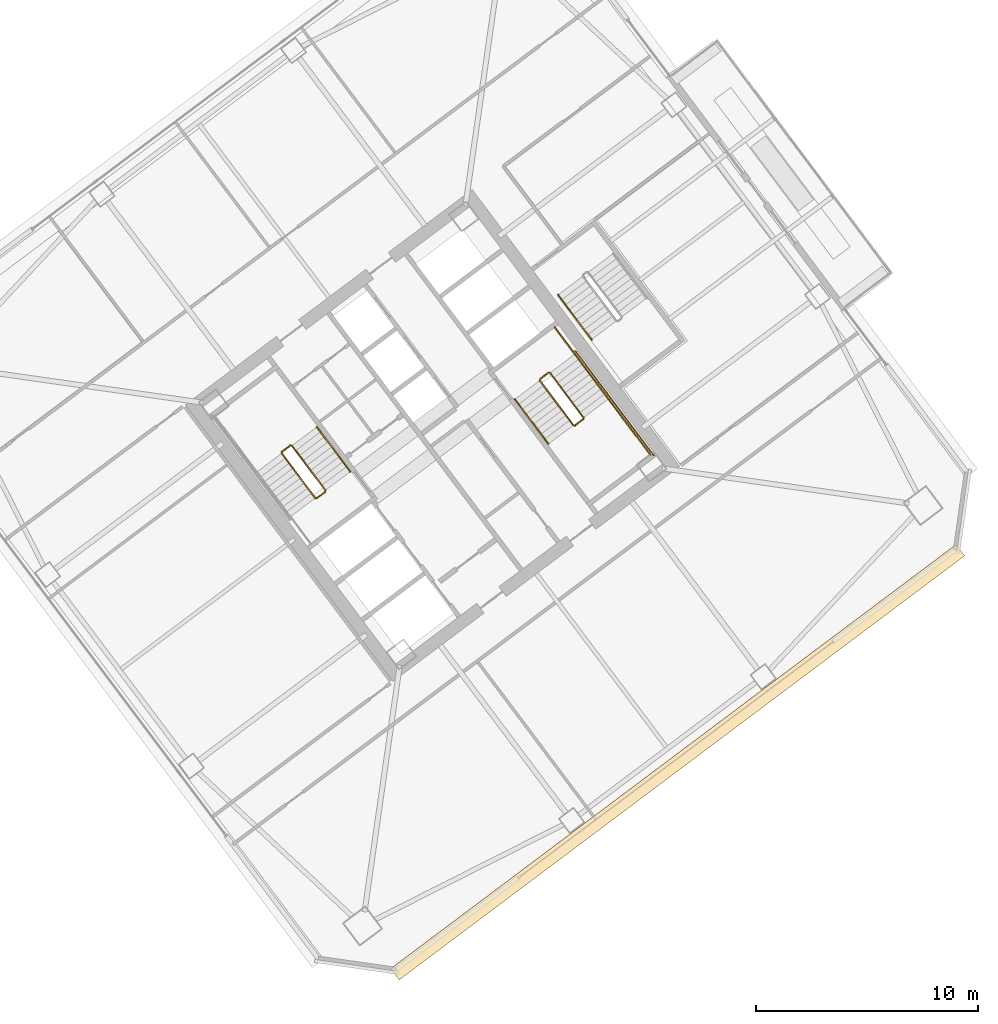
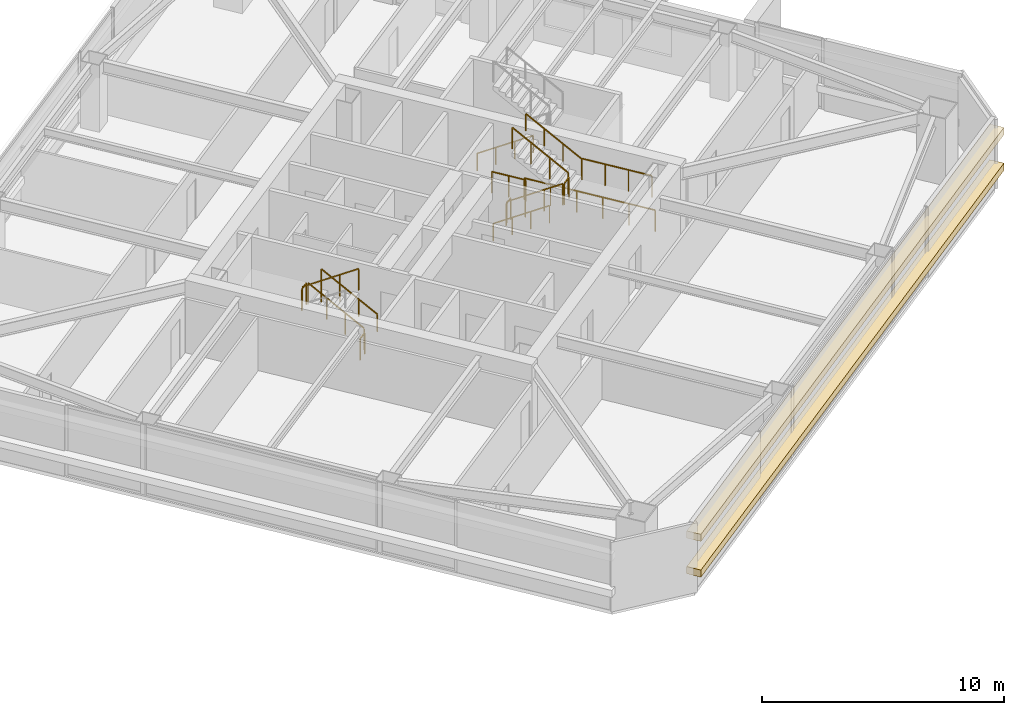
# One storey, part 38 of 41: 15 railings, 2 coverings.
"""IFC4 building model written with IfcOpenShell, lengths in metres."""

from ifc_helpers import new_model, si_unit, direction, frame, origin, origin_2d, place, context, subcontext, project, spatial, rectangle, extrude, material, layer, layer_set, type_object, element, save


model = new_model("IFC4")

# Units and contexts
model_context = context("Model", 3, precision=1e-05, world=origin(), true_north=direction((0.0, 1.0)))
body_context = subcontext(model_context, "Body", "Model", "MODEL_VIEW")
ifc_project = project(units=[si_unit("LENGTHUNIT", "METRE"), si_unit("AREAUNIT", "SQUARE_METRE"), si_unit("VOLUMEUNIT", "CUBIC_METRE"), si_unit("PLANEANGLEUNIT", "RADIAN"), si_unit("MASSUNIT", "GRAM", prefix="KILO")], contexts=[model_context])

# Site, building, storey
site_placement = place(None, origin())
site = spatial("IfcSite", under=ifc_project, at=site_placement, CompositionType="ELEMENT")
building_placement = place(site_placement, origin())
building = spatial("IfcBuilding", under=site, at=building_placement, Name="Tashvorn Skyway Center", CompositionType="ELEMENT")
storey_placement = place(building_placement, frame((0.0, 0.0, 146.35009765625)))
storey = spatial("IfcBuildingStorey", under=building, at=storey_placement, Name="L39", CompositionType="ELEMENT", Elevation=146.35009765625)

# Coverings
ifc_material_1 = material(Name="Perforated ceramic-coated bronze aluminium solar screen", Category="aluminium")
ifc_layer = layer(ifc_material_1, 0.85009765625)
ifc_layer_set = layer_set([ifc_layer], Name="Perforated ceramic-coated bronze aluminium solar screen")
covering_type = type_object("IfcCoveringType", Name="COV-SOLAR-BAND", PredefinedType="CLADDING", material=ifc_layer_set)
for number, where, z_axis, x_axis, name in (
    (1, (125.052001953125, 17.263916015625, 0.919921875), (0.0, 0.0, 1.0), (-0.799999996291, -0.600000004945, 0.0), "L39 Perforated Ceramic-Metal Solar Screen Louvre Band South 1"),
    (2, (125.052001953125, 17.263916015625, 2.7197265625), (0.0, 0.0, 1.0), (-0.799999996291, -0.600000004945, 0.0), "L39 Perforated Ceramic-Metal Solar Screen Louvre Band South 2"),
):
    element("IfcCovering", number, at=place(storey_placement, frame(where, z_axis=z_axis, x_axis=x_axis)), inside=storey, type_object=covering_type, Name=name, PredefinedType="CLADDING", context=body_context, shape_type="SweptSolid", body=[
        extrude(rectangle(XDim=31.8798828125, YDim=0.639892578125, at=origin_2d()), origin(), (0.0, 0.0, 1.0), 0.360107421875),
    ])

# Railings
ifc_material_2 = material(Name="Brushed stainless steel 316", Category="steel")
railing_type_1 = type_object("IfcRailingType", Name="RAIL-HAND-920", PredefinedType="HANDRAIL", material=ifc_material_2)
railing_1_placement = place(storey_placement, frame((110.2880859375, 30.365966796875, 0.177490234375)))
element("IfcRailing", 3, at=railing_1_placement, inside=storey, type_object=railing_type_1, Name="L39 ST-T2-1 stair handrail 1", PredefinedType="HANDRAIL", context=body_context, shape_type="SweptSolid", body=[
    extrude(rectangle(XDim=0.048095703125, YDim=0.048095703125, at=origin_2d()), frame((0.0, 0.0, 0.8759765625), z_axis=(-0.506801609611, 0.675680931896, 0.535357270211), x_axis=(-0.799976749893, -0.600030998891, 0.0)), (0.0, 0.0, 1.0), 2.98388671875),
    extrude(rectangle(XDim=0.0419921875, YDim=0.0419921875, at=origin_2d()), origin(), (0.0, 0.0, 1.0), 0.851806640625),
    extrude(rectangle(XDim=0.0419921875, YDim=0.0419921875, at=origin_2d()), frame((-0.504150390625, 0.672119140625, 0.532470703125)), (0.0, 0.0, 1.0), 0.851806640625),
    extrude(rectangle(XDim=0.0419921875, YDim=0.0419921875, at=origin_2d()), frame((-1.008056640625, 1.343994140625, 1.06494140625)), (0.0, 0.0, 1.0), 0.851806640625),
    extrude(rectangle(XDim=0.0419921875, YDim=0.0419921875, at=origin_2d()), frame((-1.51220703125, 2.01611328125, 1.597412109375)), (0.0, 0.0, 1.0), 0.851806640625),
])
railing_2_placement = place(storey_placement, frame((117.7119140625, 33.634033203125, 0.177490234375)))
element("IfcRailing", 4, at=railing_2_placement, inside=storey, type_object=railing_type_1, Name="L39 ST-T2-2 stair handrail 1", PredefinedType="HANDRAIL", context=body_context, shape_type="SweptSolid", body=[
    extrude(rectangle(XDim=0.048095703125, YDim=0.048095703125, at=origin_2d()), frame((0.0, 0.0, 0.8759765625), z_axis=(0.506801609611, -0.675680931896, 0.535357270211), x_axis=(0.799976749893, 0.600030998891, 0.0)), (0.0, 0.0, 1.0), 2.98388671875),
    extrude(rectangle(XDim=0.0419921875, YDim=0.0419921875, at=origin_2d()), origin(), (0.0, 0.0, 1.0), 0.851806640625),
    extrude(rectangle(XDim=0.0419921875, YDim=0.0419921875, at=origin_2d()), frame((0.504150390625, -0.672119140625, 0.532470703125)), (0.0, 0.0, 1.0), 0.851806640625),
    extrude(rectangle(XDim=0.0419921875, YDim=0.0419921875, at=origin_2d()), frame((1.008056640625, -1.343994140625, 1.06494140625)), (0.0, 0.0, 1.0), 0.851806640625),
    extrude(rectangle(XDim=0.0419921875, YDim=0.0419921875, at=origin_2d()), frame((1.51220703125, -2.01611328125, 1.597412109375)), (0.0, 0.0, 1.0), 0.851806640625),
])
railing_3_placement = place(storey_placement, frame((121.927978515625, 33.64599609375, 1.952392578125)))
element("IfcRailing", 5, at=railing_3_placement, inside=storey, type_object=railing_type_1, Name="L39 ST-T2-2 stair handrail 2", PredefinedType="HANDRAIL", context=body_context, shape_type="SweptSolid", body=[
    extrude(rectangle(XDim=0.048095703125, YDim=0.048095703125, at=origin_2d()), frame((0.0, 0.0, 0.8759765625), z_axis=(-0.506740800098, 0.675708949977, 0.535379469569), x_axis=(-0.800023250257, -0.599968998406, 0.0)), (0.0, 0.0, 1.0), 2.983642578125),
    extrude(rectangle(XDim=0.0419921875, YDim=0.0419921875, at=origin_2d()), origin(), (0.0, 0.0, 1.0), 0.851806640625),
    extrude(rectangle(XDim=0.0419921875, YDim=0.0419921875, at=origin_2d()), frame((-0.50390625, 0.672119140625, 0.532470703125)), (0.0, 0.0, 1.0), 0.851806640625),
    extrude(rectangle(XDim=0.0419921875, YDim=0.0419921875, at=origin_2d()), frame((-1.008056640625, 1.343994140625, 1.06494140625)), (0.0, 0.0, 1.0), 0.851806640625),
    extrude(rectangle(XDim=0.0419921875, YDim=0.0419921875, at=origin_2d()), frame((-1.511962890625, 2.01611328125, 1.597412109375)), (0.0, 0.0, 1.0), 0.851806640625),
])
railing_4_placement = place(storey_placement, frame((119.656005859375, 38.342041015625, 0.177490234375)))
element("IfcRailing", 6, at=railing_4_placement, inside=storey, type_object=railing_type_1, Name="L39 ST-T2-3 stair handrail 1", PredefinedType="HANDRAIL", context=body_context, shape_type="SweptSolid", body=[
    extrude(rectangle(XDim=0.048095703125, YDim=0.048095703125, at=origin_2d()), frame((0.0, 0.0, 0.8759765625), z_axis=(0.506740800098, -0.675708949977, 0.535379469569), x_axis=(0.800023250257, 0.599968998406, 0.0)), (0.0, 0.0, 1.0), 2.983642578125),
    extrude(rectangle(XDim=0.0419921875, YDim=0.0419921875, at=origin_2d()), origin(), (0.0, 0.0, 1.0), 0.851806640625),
    extrude(rectangle(XDim=0.0419921875, YDim=0.0419921875, at=origin_2d()), frame((0.50390625, -0.672119140625, 0.532470703125)), (0.0, 0.0, 1.0), 0.851806640625),
    extrude(rectangle(XDim=0.0419921875, YDim=0.0419921875, at=origin_2d()), frame((1.008056640625, -1.343994140625, 1.06494140625)), (0.0, 0.0, 1.0), 0.851806640625),
    extrude(rectangle(XDim=0.0419921875, YDim=0.0419921875, at=origin_2d()), frame((1.511962890625, -2.01611328125, 1.597412109375)), (0.0, 0.0, 1.0), 0.851806640625),
])
ifc_material_3 = material(Name="Painted galvanized steel S355", Category="steel")
railing_type_2 = type_object("IfcRailingType", Name="RAIL-STGUARD-1100", PredefinedType="GUARDRAIL", material=ifc_material_3)
railing_5_placement = place(storey_placement, frame((109.16796875, 29.52587890625, 0.177490234375)))
element("IfcRailing", 7, at=railing_5_placement, inside=storey, type_object=railing_type_2, Name="L39 ST-T2-1 stair guard 1", PredefinedType="GUARDRAIL", context=body_context, shape_type="SweptSolid", body=[
    extrude(rectangle(XDim=0.048095703125, YDim=0.048095703125, at=origin_2d()), frame((0.0, 0.0, 1.076171875), z_axis=(-0.506740800098, 0.675708949977, 0.535379469569), x_axis=(-0.800023250257, -0.599968998406, 0.0)), (0.0, 0.0, 1.0), 2.983642578125),
    extrude(rectangle(XDim=0.0419921875, YDim=0.0419921875, at=origin_2d()), origin(), (0.0, 0.0, 1.0), 1.052001953125),
    extrude(rectangle(XDim=0.0419921875, YDim=0.0419921875, at=origin_2d()), frame((-0.50390625, 0.672119140625, 0.532470703125)), (0.0, 0.0, 1.0), 1.052001953125),
    extrude(rectangle(XDim=0.0419921875, YDim=0.0419921875, at=origin_2d()), frame((-1.008056640625, 1.343994140625, 1.06494140625)), (0.0, 0.0, 1.0), 1.052001953125),
    extrude(rectangle(XDim=0.0419921875, YDim=0.0419921875, at=origin_2d()), frame((-1.511962890625, 2.01611328125, 1.597412109375)), (0.0, 0.0, 1.0), 1.052001953125),
])
railing_6_placement = place(storey_placement, frame((107.5859375, 31.552001953125, 1.77490234375)))
element("IfcRailing", 8, at=railing_6_placement, inside=storey, type_object=railing_type_2, Name="L39 ST-T2-1 stair guard 2", PredefinedType="GUARDRAIL", context=body_context, shape_type="SweptSolid", body=[
    extrude(rectangle(XDim=0.048095703125, YDim=0.048095703125, at=origin_2d()), frame((0.0, 0.0, 1.076171875), z_axis=(-0.799938970639, -0.600081363861, 0.0), x_axis=(0.600081363861, -0.799938970639, 0.0)), (0.0, 0.0, 1.0), 0.47998046875),
    extrude(rectangle(XDim=0.0419921875, YDim=0.0419921875, at=origin_2d()), origin(), (0.0, 0.0, 1.0), 1.052001953125),
    extrude(rectangle(XDim=0.0419921875, YDim=0.0419921875, at=origin_2d()), frame((-0.384033203125, -0.2880859375, 0.0)), (0.0, 0.0, 1.0), 1.052001953125),
])
railing_7_placement = place(storey_placement, frame((107.19189453125, 31.194091796875, 1.952392578125)))
element("IfcRailing", 9, at=railing_7_placement, inside=storey, type_object=railing_type_2, Name="L39 ST-T2-1 stair guard 4", PredefinedType="GUARDRAIL", context=body_context, shape_type="SweptSolid", body=[
    extrude(rectangle(XDim=0.048095703125, YDim=0.048095703125, at=origin_2d()), frame((0.0, 0.0, 1.076171875), z_axis=(0.506801609611, -0.675680931896, 0.535357270211), x_axis=(0.799976749893, 0.600030998891, 0.0)), (0.0, 0.0, 1.0), 2.98388671875),
    extrude(rectangle(XDim=0.0419921875, YDim=0.0419921875, at=origin_2d()), origin(), (0.0, 0.0, 1.0), 1.052001953125),
    extrude(rectangle(XDim=0.0419921875, YDim=0.0419921875, at=origin_2d()), frame((0.504150390625, -0.672119140625, 0.532470703125)), (0.0, 0.0, 1.0), 1.052001953125),
    extrude(rectangle(XDim=0.0419921875, YDim=0.0419921875, at=origin_2d()), frame((1.008056640625, -1.343994140625, 1.06494140625)), (0.0, 0.0, 1.0), 1.052001953125),
    extrude(rectangle(XDim=0.0419921875, YDim=0.0419921875, at=origin_2d()), frame((1.51220703125, -2.01611328125, 1.597412109375)), (0.0, 0.0, 1.0), 1.052001953125),
])
railing_8_placement = place(storey_placement, frame((109.157958984375, 29.4560546875, 0.0)))
element("IfcRailing", 10, at=railing_8_placement, inside=storey, type_object=railing_type_2, Name="L39 ST-T2-1 stair guard 5", PredefinedType="GUARDRAIL", context=body_context, shape_type="SweptSolid", body=[
    extrude(rectangle(XDim=0.048095703125, YDim=0.048095703125, at=origin_2d()), frame((0.0, 0.0, 1.076171875), z_axis=(-0.799938970639, -0.600081363861, 0.0), x_axis=(0.600081363861, -0.799938970639, 0.0)), (0.0, 0.0, 1.0), 0.47998046875),
    extrude(rectangle(XDim=0.0419921875, YDim=0.0419921875, at=origin_2d()), origin(), (0.0, 0.0, 1.0), 1.052001953125),
    extrude(rectangle(XDim=0.0419921875, YDim=0.0419921875, at=origin_2d()), frame((-0.384033203125, -0.2880859375, 0.0)), (0.0, 0.0, 1.0), 1.052001953125),
])
railing_9_placement = place(storey_placement, frame((118.83203125, 34.47412109375, 0.177490234375)))
element("IfcRailing", 11, at=railing_9_placement, inside=storey, type_object=railing_type_2, Name="L39 ST-T2-2 stair guard 1", PredefinedType="GUARDRAIL", context=body_context, shape_type="SweptSolid", body=[
    extrude(rectangle(XDim=0.048095703125, YDim=0.048095703125, at=origin_2d()), frame((0.0, 0.0, 1.076171875), z_axis=(0.506740800098, -0.675708949977, 0.535379469569), x_axis=(0.800023250257, 0.599968998406, 0.0)), (0.0, 0.0, 1.0), 2.983642578125),
    extrude(rectangle(XDim=0.0419921875, YDim=0.0419921875, at=origin_2d()), origin(), (0.0, 0.0, 1.0), 1.052001953125),
    extrude(rectangle(XDim=0.0419921875, YDim=0.0419921875, at=origin_2d()), frame((0.50390625, -0.672119140625, 0.532470703125)), (0.0, 0.0, 1.0), 1.052001953125),
    extrude(rectangle(XDim=0.0419921875, YDim=0.0419921875, at=origin_2d()), frame((1.008056640625, -1.343994140625, 1.06494140625)), (0.0, 0.0, 1.0), 1.052001953125),
    extrude(rectangle(XDim=0.0419921875, YDim=0.0419921875, at=origin_2d()), frame((1.511962890625, -2.01611328125, 1.597412109375)), (0.0, 0.0, 1.0), 1.052001953125),
])
railing_10_placement = place(storey_placement, frame((120.4140625, 32.447998046875, 1.77490234375)))
element("IfcRailing", 12, at=railing_10_placement, inside=storey, type_object=railing_type_2, Name="L39 ST-T2-2 stair guard 2", PredefinedType="GUARDRAIL", context=body_context, shape_type="SweptSolid", body=[
    extrude(rectangle(XDim=0.048095703125, YDim=0.048095703125, at=origin_2d()), frame((0.0, 0.0, 1.076171875), z_axis=(0.799938970639, 0.600081363861, 0.0), x_axis=(-0.600081363861, 0.799938970639, 0.0)), (0.0, 0.0, 1.0), 0.47998046875),
    extrude(rectangle(XDim=0.0419921875, YDim=0.0419921875, at=origin_2d()), origin(), (0.0, 0.0, 1.0), 1.052001953125),
    extrude(rectangle(XDim=0.0419921875, YDim=0.0419921875, at=origin_2d()), frame((0.384033203125, 0.2880859375, 0.0)), (0.0, 0.0, 1.0), 1.052001953125),
])
railing_11_placement = place(storey_placement, frame((121.927978515625, 33.64599609375, 1.77490234375)))
element("IfcRailing", 13, at=railing_11_placement, inside=storey, type_object=railing_type_2, Name="L39 ST-T2-2 stair guard 3", PredefinedType="GUARDRAIL", context=body_context, shape_type="SweptSolid", body=[
    extrude(rectangle(XDim=0.048095703125, YDim=0.048095703125, at=origin_2d()), frame((0.0, 0.0, 1.076171875), z_axis=(0.599987638607, -0.800009270896, 0.0), x_axis=(0.800009270896, 0.599987638607, 0.0)), (0.0, 0.0, 1.0), 3.16015625),
    extrude(rectangle(XDim=0.0419921875, YDim=0.0419921875, at=origin_2d()), origin(), (0.0, 0.0, 1.0), 1.052001953125),
    extrude(rectangle(XDim=0.0419921875, YDim=0.0419921875, at=origin_2d()), frame((0.632080078125, -0.8427734375, 0.0)), (0.0, 0.0, 1.0), 1.052001953125),
    extrude(rectangle(XDim=0.0419921875, YDim=0.0419921875, at=origin_2d()), frame((1.263916015625, -1.685302734375, 0.0)), (0.0, 0.0, 1.0), 1.052001953125),
    extrude(rectangle(XDim=0.0419921875, YDim=0.0419921875, at=origin_2d()), frame((1.89599609375, -2.528076171875, 0.0)), (0.0, 0.0, 1.0), 1.052001953125),
])
railing_12_placement = place(storey_placement, frame((120.80810546875, 32.805908203125, 1.952392578125)))
element("IfcRailing", 14, at=railing_12_placement, inside=storey, type_object=railing_type_2, Name="L39 ST-T2-2 stair guard 4", PredefinedType="GUARDRAIL", context=body_context, shape_type="SweptSolid", body=[
    extrude(rectangle(XDim=0.048095703125, YDim=0.048095703125, at=origin_2d()), frame((0.0, 0.0, 1.076171875), z_axis=(-0.506801609611, 0.675680931896, 0.535357270211), x_axis=(-0.799976749893, -0.600030998891, 0.0)), (0.0, 0.0, 1.0), 2.98388671875),
    extrude(rectangle(XDim=0.0419921875, YDim=0.0419921875, at=origin_2d()), origin(), (0.0, 0.0, 1.0), 1.052001953125),
    extrude(rectangle(XDim=0.0419921875, YDim=0.0419921875, at=origin_2d()), frame((-0.504150390625, 0.672119140625, 0.532470703125)), (0.0, 0.0, 1.0), 1.052001953125),
    extrude(rectangle(XDim=0.0419921875, YDim=0.0419921875, at=origin_2d()), frame((-1.008056640625, 1.343994140625, 1.06494140625)), (0.0, 0.0, 1.0), 1.052001953125),
    extrude(rectangle(XDim=0.0419921875, YDim=0.0419921875, at=origin_2d()), frame((-1.51220703125, 2.01611328125, 1.597412109375)), (0.0, 0.0, 1.0), 1.052001953125),
])
railing_13_placement = place(storey_placement, frame((118.842041015625, 34.5439453125, 0.0)))
element("IfcRailing", 15, at=railing_13_placement, inside=storey, type_object=railing_type_2, Name="L39 ST-T2-2 stair guard 5", PredefinedType="GUARDRAIL", context=body_context, shape_type="SweptSolid", body=[
    extrude(rectangle(XDim=0.048095703125, YDim=0.048095703125, at=origin_2d()), frame((0.0, 0.0, 1.076171875), z_axis=(0.799938970639, 0.600081363861, 0.0), x_axis=(-0.600081363861, 0.799938970639, 0.0)), (0.0, 0.0, 1.0), 0.47998046875),
    extrude(rectangle(XDim=0.0419921875, YDim=0.0419921875, at=origin_2d()), origin(), (0.0, 0.0, 1.0), 1.052001953125),
    extrude(rectangle(XDim=0.0419921875, YDim=0.0419921875, at=origin_2d()), frame((0.384033203125, 0.2880859375, 0.0)), (0.0, 0.0, 1.0), 1.052001953125),
])
railing_14_placement = place(storey_placement, frame((119.50390625, 36.8779296875, 0.0)))
element("IfcRailing", 16, at=railing_14_placement, inside=storey, type_object=railing_type_2, Name="L39 ST-T2-2 stair guard 6", PredefinedType="GUARDRAIL", context=body_context, shape_type="SweptSolid", body=[
    extrude(rectangle(XDim=0.048095703125, YDim=0.048095703125, at=origin_2d()), frame((0.0, 0.0, 1.076171875), z_axis=(0.600102796382, -0.799922892393, 0.0), x_axis=(0.799922892393, 0.600102796382, 0.0)), (0.0, 0.0, 1.0), 1.52001953125),
    extrude(rectangle(XDim=0.0419921875, YDim=0.0419921875, at=origin_2d()), origin(), (0.0, 0.0, 1.0), 1.052001953125),
    extrude(rectangle(XDim=0.0419921875, YDim=0.0419921875, at=origin_2d()), frame((0.4560546875, -0.60791015625, 0.0)), (0.0, 0.0, 1.0), 1.052001953125),
    extrude(rectangle(XDim=0.0419921875, YDim=0.0419921875, at=origin_2d()), frame((0.912109375, -1.2158203125, 0.0)), (0.0, 0.0, 1.0), 1.052001953125),
])
railing_15_placement = place(storey_placement, frame((120.43603515625, 35.802001953125, 0.0)))
element("IfcRailing", 17, at=railing_15_placement, inside=storey, type_object=railing_type_2, Name="L39 ST-T2-2 stair guard 7", PredefinedType="GUARDRAIL", context=body_context, shape_type="SweptSolid", body=[
    extrude(rectangle(XDim=0.048095703125, YDim=0.048095703125, at=origin_2d()), frame((0.0, 0.0, 1.076171875), z_axis=(0.6, -0.8, 0.0), x_axis=(0.8, 0.6, 0.0)), (0.0, 0.0, 1.0), 5.880126953125),
    extrude(rectangle(XDim=0.0419921875, YDim=0.0419921875, at=origin_2d()), origin(), (0.0, 0.0, 1.0), 1.052001953125),
    extrude(rectangle(XDim=0.0419921875, YDim=0.0419921875, at=origin_2d()), frame((0.70556640625, -0.94091796875, 0.0)), (0.0, 0.0, 1.0), 1.052001953125),
    extrude(rectangle(XDim=0.0419921875, YDim=0.0419921875, at=origin_2d()), frame((1.4111328125, -1.881591796875, 0.0)), (0.0, 0.0, 1.0), 1.052001953125),
    extrude(rectangle(XDim=0.0419921875, YDim=0.0419921875, at=origin_2d()), frame((2.116943359375, -2.822509765625, 0.0)), (0.0, 0.0, 1.0), 1.052001953125),
    extrude(rectangle(XDim=0.0419921875, YDim=0.0419921875, at=origin_2d()), frame((2.822509765625, -3.76318359375, 0.0)), (0.0, 0.0, 1.0), 1.052001953125),
    extrude(rectangle(XDim=0.0419921875, YDim=0.0419921875, at=origin_2d()), frame((3.528076171875, -4.7041015625, 0.0)), (0.0, 0.0, 1.0), 1.052001953125),
])

save(model, "model.ifc")
